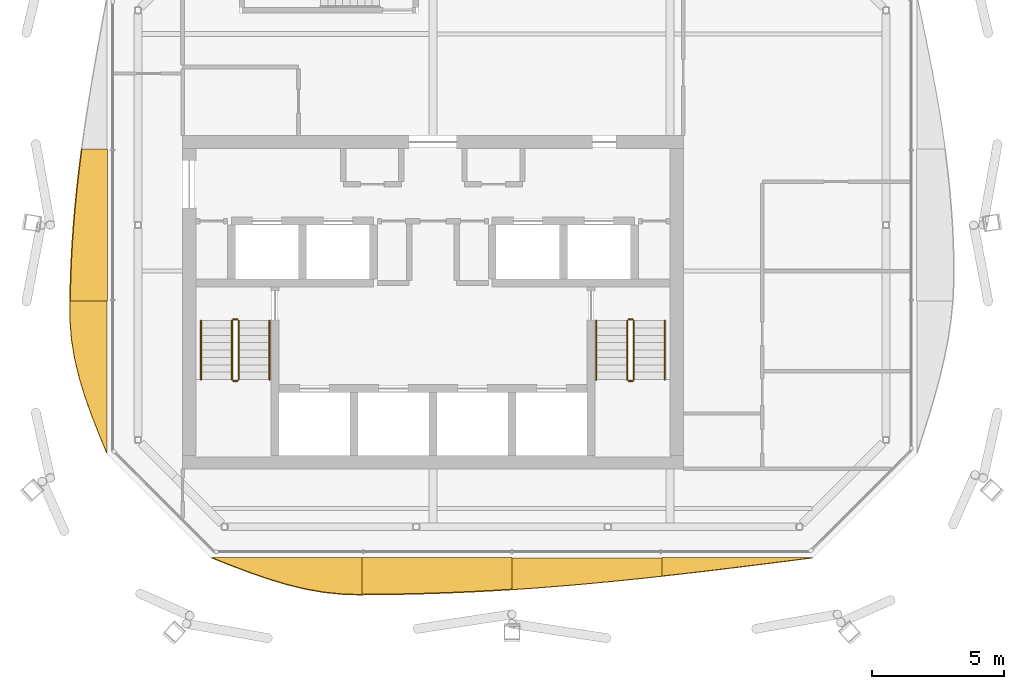
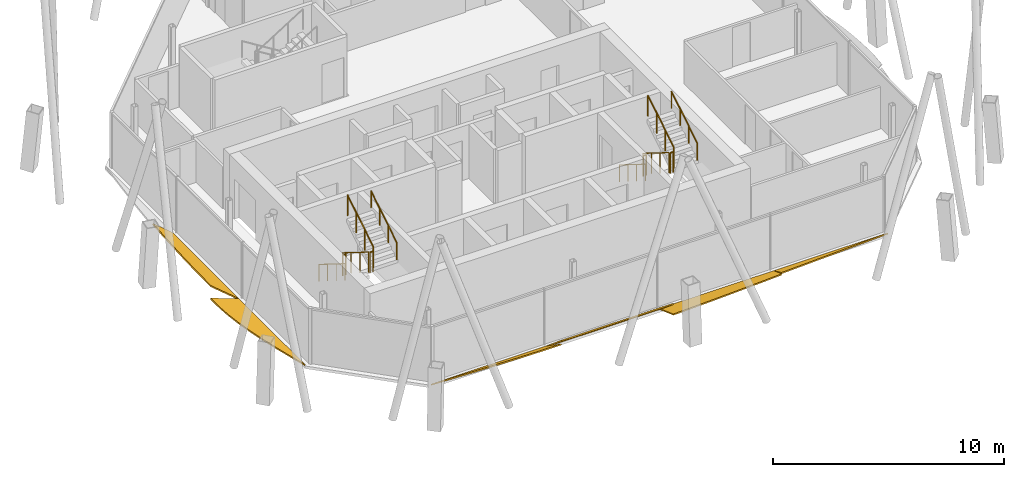
# One storey, part 12 of 14: 12 railings, 6 shading devices.
"""IFC4 building model written with IfcOpenShell, lengths in metres."""

from ifc_helpers import new_model, si_unit, direction, frame, origin, origin_2d, place, context, subcontext, project, spatial, polyline, circle, outline, extrude, material, layer, layer_set, type_object, element, save


model = new_model("IFC4")

# Units and contexts
model_context = context("Model", 3, precision=1e-05, world=origin(), true_north=direction((0.0, 1.0)))
body_context = subcontext(model_context, "Body", "Model", "MODEL_VIEW")
ifc_project = project(units=[si_unit("LENGTHUNIT", "METRE"), si_unit("AREAUNIT", "SQUARE_METRE"), si_unit("VOLUMEUNIT", "CUBIC_METRE"), si_unit("PLANEANGLEUNIT", "RADIAN"), si_unit("MASSUNIT", "GRAM", prefix="KILO")], contexts=[model_context])

# Site, building, storey
site_placement = place(None, origin())
site = spatial("IfcSite", under=ifc_project, at=site_placement, CompositionType="ELEMENT")
building_placement = place(site_placement, origin())
building = spatial("IfcBuilding", under=site, at=building_placement, Name="Tskaro Facet Tower", CompositionType="ELEMENT")
storey_placement = place(building_placement, frame((0.0, 0.0, 287.85009765625)))
storey = spatial("IfcBuildingStorey", under=building, at=storey_placement, Name="L77", CompositionType="ELEMENT", Elevation=287.85009765625)

# Shading devices
ifc_material_1 = material(Name="Bronze anodised aluminium 6063-T6", Category="aluminium")
ifc_layer = layer(ifc_material_1, 0.06005859375, Name="Bronze anodised aluminium 6063-T6")
ifc_layer_set = layer_set([ifc_layer], Name="Bronze anodised aluminium 6063-T6")
shading_device_type = type_object("IfcShadingDeviceType", Name="Bronze sun blade (FN1)", PredefinedType="USERDEFINED", material=ifc_layer_set)
shading_device_1_placement = place(storey_placement, frame((-8.39990234375, -15.365478515625, 0.049072265625), z_axis=(-1.3427903e-05, 0.573537909069, 0.819179019922), x_axis=(0.99999999991, 7.701412e-06, 1.0999857e-05)))
element("IfcShadingDevice", 1, at=shading_device_1_placement, inside=storey, type_object=shading_device_type, Name="Fin blade south 1", ObjectType="FIN", PredefinedType="USERDEFINED", context=body_context, shape_type="SweptSolid", body=[
    extrude(outline(polyline([(0.0, 0.0), (5.699951171361125, 0.0), (5.6999511724672045, -1.7089666029726918), (5.517578123728419, -1.7091665978506203), (4.987304687642974, -1.6898658551235295), (4.274902344064244, -1.6034424880946436), (3.5624999997614375, -1.45111654798646), (2.849853515712761, -1.239528304570913), (2.1374511696663006, -0.9771380634762177), (1.4248046889531891, -0.6745262959489865), (0.7124023427219685, -0.3444734168930458), (0.0, 0.0)])), origin(), (0.0, 0.0, -1.0), 0.06005859375),
])
shading_device_2_placement = place(storey_placement, frame((-2.699951171875, -15.361328125, 0.0458984375), z_axis=(9.918924e-06, 0.642744060762, 0.766080982832), x_axis=(0.999999999951, -6.37533e-06, -7.598699e-06)))
element("IfcShadingDevice", 2, at=shading_device_2_placement, inside=storey, type_object=shading_device_type, Name="Fin blade south 2", ObjectType="FIN", PredefinedType="USERDEFINED", context=body_context, shape_type="SweptSolid", body=[
    extrude(outline(polyline([(0.0, 0.0), (5.699951171594605, 4.828046440318884e-21), (5.699951172482539, -1.5726489409539317), (4.9875488275478075, -1.6294785366741076), (4.274902344251269, -1.6797429437342057), (3.5624999991734696, -1.722881067664351), (2.8498535147747353, -1.758579068591109), (2.1374511720063687, -1.7871808979411554), (1.4250488289855783, -1.8081555727978562), (0.7124023432322252, -1.8216600130979281), (-2.934122388633444e-10, -1.8273803789679377), (0.0, 0.0)])), origin(), (0.0, 0.0, -1.0), 0.06005859375),
])
shading_device_3_placement = place(storey_placement, frame((3.0, -15.37939453125, 0.056396484375), z_axis=(2.207333e-06, 0.341890159116, 0.939739920986), x_axis=(0.999999999998, -7.54666e-07, -2.074319e-06)))
element("IfcShadingDevice", 3, at=shading_device_3_placement, inside=storey, type_object=shading_device_type, Name="Fin blade south 3", ObjectType="FIN", PredefinedType="USERDEFINED", context=body_context, shape_type="SweptSolid", body=[
    extrude(outline(polyline([(0.0, 0.0), (5.699951171861114, 0.0), (5.699951171977901, -0.7378012475523474), (4.987548828396205, -0.8201291096743498), (4.274902343635787, -0.8989110930047743), (3.562499999775257, -0.973750830297717), (2.8500976561896114, -1.0446483215531779), (2.137451172069608, -1.1113741380795097), (1.4250488281125118, -1.1732399938017692), (0.7124023435747493, -1.2301624194428291), (2.8500740467671833e-11, -1.2818285170339134), (0.0, 0.0)])), origin(), (0.0, 0.0, -1.0), 0.06005859375),
])
shading_device_4_placement = place(storey_placement, frame((8.699951171875, -15.374755859375, 0.05419921875), z_axis=(1.0508479e-05, 0.422842752002, 0.906203071595), x_axis=(0.999999999945, -4.443434e-06, -9.522816e-06)))
element("IfcShadingDevice", 4, at=shading_device_4_placement, inside=storey, type_object=shading_device_type, Name="Fin blade south 4", ObjectType="FIN", PredefinedType="USERDEFINED", context=body_context, shape_type="SweptSolid", body=[
    extrude(outline(polyline([(0.0, 0.0), (5.699951171560283, -4.828046440318884e-21), (4.987548828110096, -0.0999397303908309), (4.275146482490264, -0.19943697881308498), (3.5624999987256123, -0.29828527907924973), (2.8500976560517297, -0.3954964341584153), (2.137451171978558, -0.4913949181286263), (1.4250488291514158, -0.5851105418495051), (0.7126464858604934, -0.676422064336763), (-6.8884138076494e-10, -0.7648870036218237), (0.0, 0.0)])), origin(), (0.0, 0.0, -1.0), 0.06005859375),
])
shading_device_5_placement = place(storey_placement, frame((-12.361328125, 0.13330078125, 0.0458984375), z_axis=(0.642743649358, 1.5305912e-05, 0.766081327913), x_axis=(9.837778e-06, -0.999999999883, 1.1725573e-05)))
element("IfcShadingDevice", 5, at=shading_device_5_placement, inside=storey, type_object=shading_device_type, Name="Fin blade west 2", ObjectType="FIN", PredefinedType="USERDEFINED", context=body_context, shape_type="SweptSolid", body=[
    extrude(outline(polyline([(0.0, 0.0), (5.766601561824527, 4.8845015171256284e-21), (5.7666015638697, -1.8245986559298053), (5.045898436045924, -1.8065927356317326), (4.32495117225791, -1.7722705403501893), (3.6042480465501945, -1.722193164807832), (2.883300780996414, -1.6568614802514554), (2.162353513819737, -1.576462518255279), (1.441650389890487, -1.4821850528871092), (0.7207031260178077, -1.3745600671316727), (-4.301851531924141e-10, -1.254649526958421), (0.0, 0.0)])), origin(), (0.0, 0.0, -1.0), 0.06005859375),
])
shading_device_6_placement = place(storey_placement, frame((-12.37939453125, -5.63330078125, 0.056396484375), z_axis=(0.34191622096, -1.613521e-06, 0.939730438925), x_axis=(-5.51689e-07, -0.999999999999, -1.516275e-06)))
element("IfcShadingDevice", 6, at=shading_device_6_placement, inside=storey, type_object=shading_device_type, Name="Fin blade west 3", ObjectType="FIN", PredefinedType="USERDEFINED", context=body_context, shape_type="SweptSolid", body=[
    extrude(outline(polyline([(0.0, 0.0), (5.766601562492494, -6.1056268964070355e-22), (5.045898437586884, -0.31433519734450793), (4.324951172052028, -0.6143824311733566), (3.604248046797376, -0.8867089683807247), (2.88330078104052, -1.1192586341209374), (2.162597656196635, -1.3016022387281134), (1.44165039064299, -1.4252504797327405), (0.720947265762574, -1.4847175981052454), (0.43823242174526167, -1.4899739307581275), (4.672243239917356e-12, -1.4873457644316865), (0.0, 0.0)])), origin(), (0.0, 0.0, -1.0), 0.06005859375),
])

# Railings
ifc_material_2 = material(Name="Stainless steel", Category="steel")
railing_type_1 = type_object("IfcRailingType", Name="RL-GUARD-1100", PredefinedType="GUARDRAIL", material=ifc_material_2)
railing_1_placement = place(storey_placement, frame((-7.625, -6.375, 0.1748046875)))
element("IfcRailing", 7, at=railing_1_placement, inside=storey, type_object=railing_type_1, Name="L77 ST-1 stair guard 1", PredefinedType="GUARDRAIL", context=body_context, shape_type="SweptSolid", body=[
    extrude(circle(Radius=0.02392578125, at=origin_2d()), frame((0.0, 0.0, 1.076171875), z_axis=(0.0, -0.847972341737, 0.530040477369), x_axis=(1.0, 0.0, 0.0)), (0.0, 0.0, 1.0), 2.6416015625),
    extrude(circle(Radius=0.02099609375, at=origin_2d()), origin(), (0.0, 0.0, 1.0), 1.052001953125),
    extrude(circle(Radius=0.02099609375, at=origin_2d()), frame((0.0, -0.74658203125, 0.466796875)), (0.0, 0.0, 1.0), 1.052001953125),
    extrude(circle(Radius=0.02099609375, at=origin_2d()), frame((0.0, -1.493408203125, 0.933349609375)), (0.0, 0.0, 1.0), 1.052001953125),
    extrude(circle(Radius=0.02099609375, at=origin_2d()), frame((0.0, -2.239990234375, 1.400146484375)), (0.0, 0.0, 1.0), 1.052001953125),
])
railing_2_placement = place(storey_placement, frame((-7.574951171875, -8.6650390625, 1.574951171875)))
element("IfcRailing", 8, at=railing_2_placement, inside=storey, type_object=railing_type_1, Name="L77 ST-1 stair guard 2", PredefinedType="GUARDRAIL", context=body_context, shape_type="SweptSolid", body=[
    extrude(circle(Radius=0.02392578125, at=origin_2d()), frame((0.0, 0.0, 1.076171875), z_axis=(1.0, 0.0, 0.0), x_axis=(0.0, 1.0, 0.0)), (0.0, 0.0, 1.0), 0.14990234375),
    extrude(circle(Radius=0.02099609375, at=origin_2d()), origin(), (0.0, 0.0, 1.0), 1.052001953125),
    extrude(circle(Radius=0.02099609375, at=origin_2d()), frame((0.14990234375, 0.0, 0.0)), (0.0, 0.0, 1.0), 1.052001953125),
])
railing_3_placement = place(storey_placement, frame((-7.375, -8.614990234375, 1.75)))
element("IfcRailing", 9, at=railing_3_placement, inside=storey, type_object=railing_type_1, Name="L77 ST-1 stair guard 3", PredefinedType="GUARDRAIL", context=body_context, shape_type="SweptSolid", body=[
    extrude(circle(Radius=0.02392578125, at=origin_2d()), frame((0.0, 0.0, 1.076171875), z_axis=(0.0, 0.848013881152, 0.529974015752), x_axis=(-1.0, 0.0, 0.0)), (0.0, 0.0, 1.0), 2.641357421875),
    extrude(circle(Radius=0.02099609375, at=origin_2d()), origin(), (0.0, 0.0, 1.0), 1.052001953125),
    extrude(circle(Radius=0.02099609375, at=origin_2d()), frame((0.0, 0.74658203125, 0.466552734375)), (0.0, 0.0, 1.0), 1.052001953125),
    extrude(circle(Radius=0.02099609375, at=origin_2d()), frame((0.0, 1.493408203125, 0.933349609375)), (0.0, 0.0, 1.0), 1.052001953125),
    extrude(circle(Radius=0.02099609375, at=origin_2d()), frame((0.0, 2.239990234375, 1.39990234375)), (0.0, 0.0, 1.0), 1.052001953125),
])
railing_4_placement = place(storey_placement, frame((-7.574951171875, -6.324951171875, 0.0)))
element("IfcRailing", 10, at=railing_4_placement, inside=storey, type_object=railing_type_1, Name="L77 ST-1 stair guard 4", PredefinedType="GUARDRAIL", context=body_context, shape_type="SweptSolid", body=[
    extrude(circle(Radius=0.02392578125, at=origin_2d()), frame((0.0, 0.0, 1.076171875), z_axis=(1.0, 0.0, 0.0), x_axis=(0.0, 1.0, 0.0)), (0.0, 0.0, 1.0), 0.14990234375),
    extrude(circle(Radius=0.02099609375, at=origin_2d()), origin(), (0.0, 0.0, 1.0), 1.052001953125),
    extrude(circle(Radius=0.02099609375, at=origin_2d()), frame((0.14990234375, 0.0, 0.0)), (0.0, 0.0, 1.0), 1.052001953125),
])
railing_5_placement = place(storey_placement, frame((7.375, -6.375, 0.1748046875)))
element("IfcRailing", 11, at=railing_5_placement, inside=storey, type_object=railing_type_1, Name="L77 ST-2 stair guard 1", PredefinedType="GUARDRAIL", context=body_context, shape_type="SweptSolid", body=[
    extrude(circle(Radius=0.02392578125, at=origin_2d()), frame((0.0, 0.0, 1.076171875), z_axis=(0.0, -0.847972341737, 0.530040477369), x_axis=(1.0, 0.0, 0.0)), (0.0, 0.0, 1.0), 2.6416015625),
    extrude(circle(Radius=0.02099609375, at=origin_2d()), origin(), (0.0, 0.0, 1.0), 1.052001953125),
    extrude(circle(Radius=0.02099609375, at=origin_2d()), frame((0.0, -0.74658203125, 0.466796875)), (0.0, 0.0, 1.0), 1.052001953125),
    extrude(circle(Radius=0.02099609375, at=origin_2d()), frame((0.0, -1.493408203125, 0.933349609375)), (0.0, 0.0, 1.0), 1.052001953125),
    extrude(circle(Radius=0.02099609375, at=origin_2d()), frame((0.0, -2.239990234375, 1.400146484375)), (0.0, 0.0, 1.0), 1.052001953125),
])
railing_6_placement = place(storey_placement, frame((7.425048828125, -8.6650390625, 1.574951171875)))
element("IfcRailing", 12, at=railing_6_placement, inside=storey, type_object=railing_type_1, Name="L77 ST-2 stair guard 2", PredefinedType="GUARDRAIL", context=body_context, shape_type="SweptSolid", body=[
    extrude(circle(Radius=0.02392578125, at=origin_2d()), frame((0.0, 0.0, 1.076171875), z_axis=(1.0, 0.0, 0.0), x_axis=(0.0, 1.0, 0.0)), (0.0, 0.0, 1.0), 0.14990234375),
    extrude(circle(Radius=0.02099609375, at=origin_2d()), origin(), (0.0, 0.0, 1.0), 1.052001953125),
    extrude(circle(Radius=0.02099609375, at=origin_2d()), frame((0.14990234375, 0.0, 0.0)), (0.0, 0.0, 1.0), 1.052001953125),
])
railing_7_placement = place(storey_placement, frame((7.625, -8.614990234375, 1.75)))
element("IfcRailing", 13, at=railing_7_placement, inside=storey, type_object=railing_type_1, Name="L77 ST-2 stair guard 3", PredefinedType="GUARDRAIL", context=body_context, shape_type="SweptSolid", body=[
    extrude(circle(Radius=0.02392578125, at=origin_2d()), frame((0.0, 0.0, 1.076171875), z_axis=(0.0, 0.848013881152, 0.529974015752), x_axis=(-1.0, 0.0, 0.0)), (0.0, 0.0, 1.0), 2.641357421875),
    extrude(circle(Radius=0.02099609375, at=origin_2d()), origin(), (0.0, 0.0, 1.0), 1.052001953125),
    extrude(circle(Radius=0.02099609375, at=origin_2d()), frame((0.0, 0.74658203125, 0.466552734375)), (0.0, 0.0, 1.0), 1.052001953125),
    extrude(circle(Radius=0.02099609375, at=origin_2d()), frame((0.0, 1.493408203125, 0.933349609375)), (0.0, 0.0, 1.0), 1.052001953125),
    extrude(circle(Radius=0.02099609375, at=origin_2d()), frame((0.0, 2.239990234375, 1.39990234375)), (0.0, 0.0, 1.0), 1.052001953125),
])
railing_8_placement = place(storey_placement, frame((7.425048828125, -6.324951171875, 0.0)))
element("IfcRailing", 14, at=railing_8_placement, inside=storey, type_object=railing_type_1, Name="L77 ST-2 stair guard 4", PredefinedType="GUARDRAIL", context=body_context, shape_type="SweptSolid", body=[
    extrude(circle(Radius=0.02392578125, at=origin_2d()), frame((0.0, 0.0, 1.076171875), z_axis=(1.0, 0.0, 0.0), x_axis=(0.0, 1.0, 0.0)), (0.0, 0.0, 1.0), 0.14990234375),
    extrude(circle(Radius=0.02099609375, at=origin_2d()), origin(), (0.0, 0.0, 1.0), 1.052001953125),
    extrude(circle(Radius=0.02099609375, at=origin_2d()), frame((0.14990234375, 0.0, 0.0)), (0.0, 0.0, 1.0), 1.052001953125),
])
railing_type_2 = type_object("IfcRailingType", Name="RL-HANDRAIL-900", PredefinedType="HANDRAIL", material=ifc_material_2)
railing_9_placement = place(storey_placement, frame((-8.800048828125, -6.375, 0.1748046875)))
element("IfcRailing", 15, at=railing_9_placement, inside=storey, type_object=railing_type_2, Name="L77 ST-1 stair handrail 1", PredefinedType="HANDRAIL", context=body_context, shape_type="SweptSolid", body=[
    extrude(circle(Radius=0.02392578125, at=origin_2d()), frame((0.0, 0.0, 0.8759765625), z_axis=(0.0, -0.847972341737, 0.530040477369), x_axis=(1.0, 0.0, 0.0)), (0.0, 0.0, 1.0), 2.6416015625),
    extrude(circle(Radius=0.02099609375, at=origin_2d()), origin(), (0.0, 0.0, 1.0), 0.851806640625),
    extrude(circle(Radius=0.02099609375, at=origin_2d()), frame((0.0, -0.74658203125, 0.466796875)), (0.0, 0.0, 1.0), 0.851806640625),
    extrude(circle(Radius=0.02099609375, at=origin_2d()), frame((0.0, -1.493408203125, 0.933349609375)), (0.0, 0.0, 1.0), 0.851806640625),
    extrude(circle(Radius=0.02099609375, at=origin_2d()), frame((0.0, -2.239990234375, 1.400146484375)), (0.0, 0.0, 1.0), 0.851806640625),
])
railing_10_placement = place(storey_placement, frame((-6.199951171875, -8.614990234375, 1.75)))
element("IfcRailing", 16, at=railing_10_placement, inside=storey, type_object=railing_type_2, Name="L77 ST-1 stair handrail 2", PredefinedType="HANDRAIL", context=body_context, shape_type="SweptSolid", body=[
    extrude(circle(Radius=0.02392578125, at=origin_2d()), frame((0.0, 0.0, 0.8759765625), z_axis=(0.0, 0.848013881152, 0.529974015752), x_axis=(-1.0, 0.0, 0.0)), (0.0, 0.0, 1.0), 2.641357421875),
    extrude(circle(Radius=0.02099609375, at=origin_2d()), origin(), (0.0, 0.0, 1.0), 0.851806640625),
    extrude(circle(Radius=0.02099609375, at=origin_2d()), frame((0.0, 0.74658203125, 0.466552734375)), (0.0, 0.0, 1.0), 0.851806640625),
    extrude(circle(Radius=0.02099609375, at=origin_2d()), frame((0.0, 1.493408203125, 0.933349609375)), (0.0, 0.0, 1.0), 0.851806640625),
    extrude(circle(Radius=0.02099609375, at=origin_2d()), frame((0.0, 2.239990234375, 1.39990234375)), (0.0, 0.0, 1.0), 0.851806640625),
])
railing_11_placement = place(storey_placement, frame((6.199951171875, -6.375, 0.1748046875)))
element("IfcRailing", 17, at=railing_11_placement, inside=storey, type_object=railing_type_2, Name="L77 ST-2 stair handrail 1", PredefinedType="HANDRAIL", context=body_context, shape_type="SweptSolid", body=[
    extrude(circle(Radius=0.02392578125, at=origin_2d()), frame((0.0, 0.0, 0.8759765625), z_axis=(0.0, -0.847972341737, 0.530040477369), x_axis=(1.0, 0.0, 0.0)), (0.0, 0.0, 1.0), 2.6416015625),
    extrude(circle(Radius=0.02099609375, at=origin_2d()), origin(), (0.0, 0.0, 1.0), 0.851806640625),
    extrude(circle(Radius=0.02099609375, at=origin_2d()), frame((0.0, -0.74658203125, 0.466796875)), (0.0, 0.0, 1.0), 0.851806640625),
    extrude(circle(Radius=0.02099609375, at=origin_2d()), frame((0.0, -1.493408203125, 0.933349609375)), (0.0, 0.0, 1.0), 0.851806640625),
    extrude(circle(Radius=0.02099609375, at=origin_2d()), frame((0.0, -2.239990234375, 1.400146484375)), (0.0, 0.0, 1.0), 0.851806640625),
])
railing_12_placement = place(storey_placement, frame((8.800048828125, -8.614990234375, 1.75)))
element("IfcRailing", 18, at=railing_12_placement, inside=storey, type_object=railing_type_2, Name="L77 ST-2 stair handrail 2", PredefinedType="HANDRAIL", context=body_context, shape_type="SweptSolid", body=[
    extrude(circle(Radius=0.02392578125, at=origin_2d()), frame((0.0, 0.0, 0.8759765625), z_axis=(0.0, 0.848013881152, 0.529974015752), x_axis=(-1.0, 0.0, 0.0)), (0.0, 0.0, 1.0), 2.641357421875),
    extrude(circle(Radius=0.02099609375, at=origin_2d()), origin(), (0.0, 0.0, 1.0), 0.851806640625),
    extrude(circle(Radius=0.02099609375, at=origin_2d()), frame((0.0, 0.74658203125, 0.466552734375)), (0.0, 0.0, 1.0), 0.851806640625),
    extrude(circle(Radius=0.02099609375, at=origin_2d()), frame((0.0, 1.493408203125, 0.933349609375)), (0.0, 0.0, 1.0), 0.851806640625),
    extrude(circle(Radius=0.02099609375, at=origin_2d()), frame((0.0, 2.239990234375, 1.39990234375)), (0.0, 0.0, 1.0), 0.851806640625),
])

save(model, "model.ifc")
